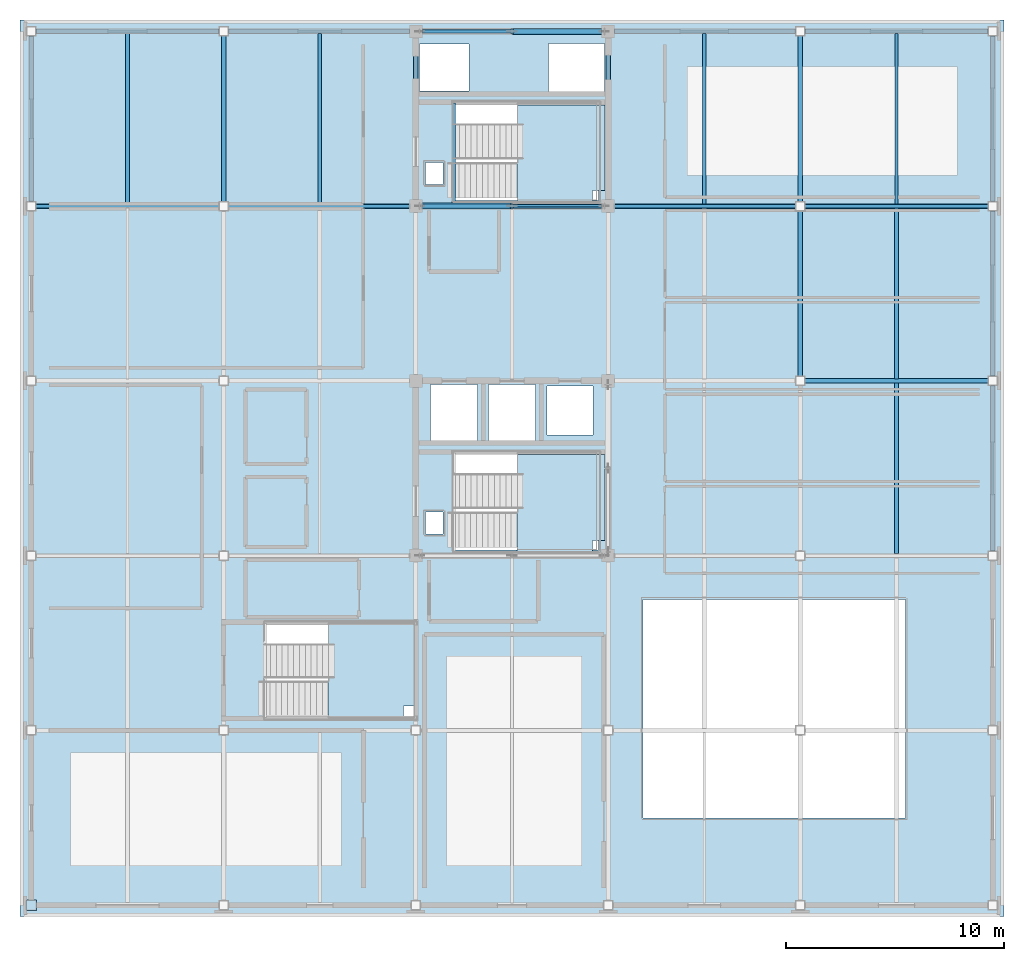
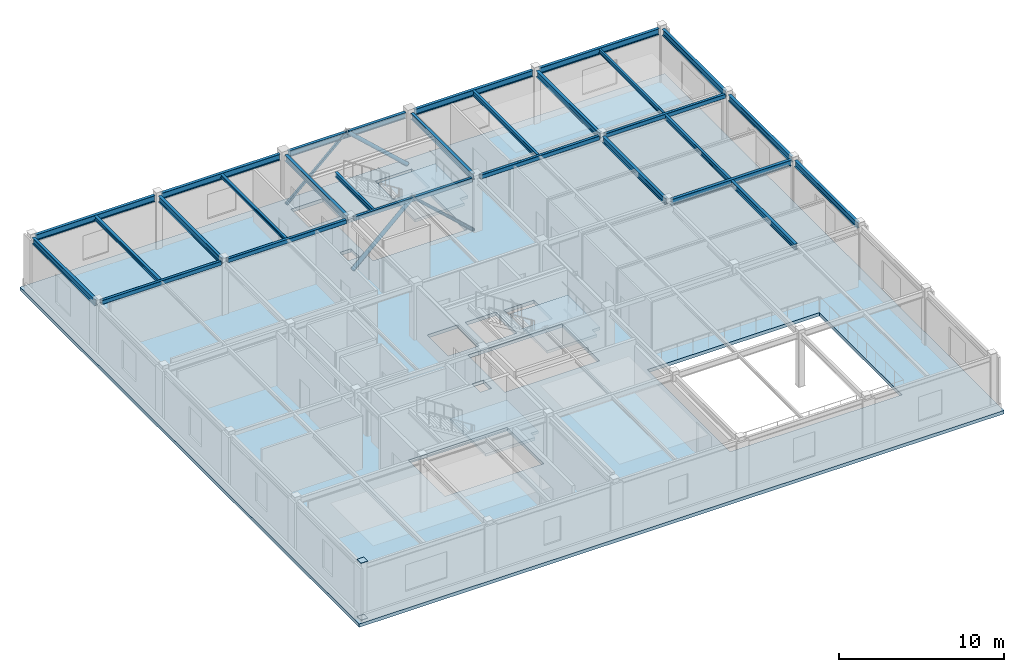
# One storey, part 2 of 18: 27 beams, 4 members, 4 slabs, 2 plates, 3 elements without a shape of their own.
"""IFC4 building model written with IfcOpenShell, lengths in metres."""

from ifc_helpers import new_model, si_unit, direction, frame, origin, origin_2d, place, context, subcontext, project, spatial, polyline, rectangle, hollow_rectangle, hollow_circle, i_section, outline, extrude, material, layer, layer_set, material_profile, profile_set, type_object, element, aggregate, save


model = new_model("IFC4")

# Units and contexts
model_context = context("Model", 3, precision=1e-05, world=origin(), true_north=direction((0.0, 1.0)))
body_context = subcontext(model_context, "Body", "Model", "MODEL_VIEW")
ifc_project = project(units=[si_unit("LENGTHUNIT", "METRE"), si_unit("AREAUNIT", "SQUARE_METRE"), si_unit("VOLUMEUNIT", "CUBIC_METRE"), si_unit("PLANEANGLEUNIT", "RADIAN"), si_unit("MASSUNIT", "GRAM", prefix="KILO")], contexts=[model_context])

# Site, building, storey
site_placement = place(None, origin())
site = spatial("IfcSite", under=ifc_project, at=site_placement, CompositionType="ELEMENT")
building_placement = place(site_placement, origin())
building = spatial("IfcBuilding", under=site, at=building_placement, Name="Zhaolan Boulevard Law Courts", CompositionType="ELEMENT")
storey_placement = place(building_placement, frame((0.0, 0.0, 33.0)))
storey = spatial("IfcBuildingStorey", under=building, at=storey_placement, Name="L07", CompositionType="ELEMENT", Elevation=33.0)

# Members
ifc_material_1 = material(Name="Structural steel Q355B", Category="steel")
ifc_material_profile_1 = material_profile(ifc_material_1, hollow_circle(Radius=0.109619140625, WallThickness=0.008056640625, at=origin_2d()), Name="CHS219x8")
ifc_profile_set_1 = profile_set([ifc_material_profile_1], Name="Structural steel Q355B")
member_type_1 = type_object("IfcMemberType", Name="BRACE CHS219", PredefinedType="BRACE", material=ifc_profile_set_1)
member_1_placement = place(storey_placement, frame((26.219970703125, 62.0, 0.030029296875), z_axis=(-0.735277847563, 0.0, 0.677765805336), x_axis=(0.0, -1.0, 0.0)))
element("IfcMember", 1, at=member_1_placement, inside=storey, type_object=member_type_1, Name="Core Brace BR-W2-L07-S2", PredefinedType="BRACE", context=body_context, shape_type="SweptSolid", body=[
    extrude(hollow_circle(Radius=0.109619140625, WallThickness=0.008056640625, at=origin_2d()), origin(), (0.0, 0.0, 1.0), 5.7392578125),
])
ifc_material_2 = material(Name="Structural steel Q355B", Category="steel")
ifc_material_profile_2 = material_profile(ifc_material_2, hollow_circle(Radius=0.136474609375, WallThickness=0.010009765625, at=origin_2d()), Name="CHS273x10")
ifc_profile_set_2 = profile_set([ifc_material_profile_2], Name="Structural steel Q355B")
member_type_2 = type_object("IfcMemberType", Name="BRACE CHS273", PredefinedType="BRACE", material=ifc_profile_set_2)
for number, where, z_axis, x_axis, name in (
    (2, (26.219970703125, 70.0, 0.030029296875), (-0.735277847563, 0.0, 0.677765805336), (0.0, -1.0, 0.0), "Core Brace BR-W2-L07-N2"),
    (3, (17.780029296875, 62.0, 0.030029296875), (0.735277847563, 0.0, 0.677765805336), (0.0, 1.0, 0.0), "Core Brace BR-W2-L07-S1"),
):
    element("IfcMember", number, at=place(storey_placement, frame(where, z_axis=z_axis, x_axis=x_axis)), inside=storey, type_object=member_type_2, Name=name, PredefinedType="BRACE", context=body_context, shape_type="SweptSolid", body=[
        extrude(hollow_circle(Radius=0.136474609375, WallThickness=0.010009765625, at=origin_2d()), origin(), (0.0, 0.0, 1.0), 5.7392578125),
    ])
ifc_material_3 = material(Name="Structural steel Q355B", Category="steel")
ifc_material_profile_3 = material_profile(ifc_material_3, hollow_rectangle(XDim=0.159912109375, YDim=0.159912109375, WallThickness=0.008056640625, InnerFilletRadius=0.008056640625, OuterFilletRadius=0.01611328125, at=origin_2d()), Name="HSS160x160x8")
ifc_profile_set_3 = profile_set([ifc_material_profile_3], Name="Structural steel Q355B")
member_type_3 = type_object("IfcMemberType", Name="BRACE HSS160", PredefinedType="BRACE", material=ifc_profile_set_3)
member_2_placement = place(storey_placement, frame((17.780029296875, 70.0, 0.030029296875), z_axis=(0.735277847563, 0.0, 0.677765805336), x_axis=(0.0, 1.0, 0.0)))
element("IfcMember", 4, at=member_2_placement, inside=storey, type_object=member_type_3, Name="Core Brace BR-W2-L07-N1", PredefinedType="BRACE", context=body_context, shape_type="SweptSolid", body=[
    extrude(hollow_rectangle(XDim=0.159912109375, YDim=0.159912109375, WallThickness=0.008056640625, InnerFilletRadius=0.008056640625, OuterFilletRadius=0.01611328125, at=origin_2d()), origin(), (0.0, 0.0, 1.0), 5.7392578125),
])

# Beams
ifc_material_4 = material(Name="Structural steel Q355B", Category="steel")
ifc_material_profile_4 = material_profile(ifc_material_4, i_section(OverallWidth=0.199951171875, OverallDepth=0.449951171875, WebThickness=0.009033203125, FlangeThickness=0.013916015625, FilletRadius=0.01611328125, at=origin_2d()), Name="HN450x200")
ifc_profile_set_4 = profile_set([ifc_material_profile_4], Name="Structural steel Q355B")
beam_type_1 = type_object("IfcBeamType", Name="GIRDER HN450", PredefinedType="BEAM", material=ifc_profile_set_4)
for number, where, z_axis, x_axis, name in (
    (5, (35.4208984375, 54.0, 3.722900390625), (1.0, 0.0, 0.0), (0.0, 1.0, 0.0), "Beam BX-L08-5-6-H"),
    (6, (0.220947265625, 70.0, 3.722900390625), (1.0, 0.0, 0.0), (0.0, 1.0, 0.0), "Beam BX-L08-1-2-K"),
):
    element("IfcBeam", number, at=place(storey_placement, frame(where, z_axis=z_axis, x_axis=x_axis)), inside=storey, type_object=beam_type_1, Name=name, PredefinedType="BEAM", context=body_context, shape_type="SweptSolid", body=[
        extrude(i_section(OverallWidth=0.199951171875, OverallDepth=0.449951171875, WebThickness=0.009033203125, FlangeThickness=0.013916015625, FilletRadius=0.01611328125, at=origin_2d()), origin(), (0.0, 0.0, 1.0), 8.358154296875),
    ])
beam_1_placement = place(storey_placement, frame((9.02099609375, 70.0, 3.722900390625), z_axis=(1.0, 0.0, 0.0), x_axis=(0.0, 1.0, 0.0)))
element("IfcBeam", 7, at=beam_1_placement, inside=storey, type_object=beam_type_1, Name="Beam BX-L08-2-3-K", PredefinedType="BEAM", context=body_context, shape_type="SweptSolid", body=[
    extrude(i_section(OverallWidth=0.199951171875, OverallDepth=0.449951171875, WebThickness=0.009033203125, FlangeThickness=0.013916015625, FilletRadius=0.01611328125, at=origin_2d()), origin(), (0.0, 0.0, 1.0), 8.282958984375),
])
beam_2_placement = place(storey_placement, frame((17.89599609375, 70.0, 3.722900390625), z_axis=(1.0, 0.0, 0.0), x_axis=(0.0, 1.0, 0.0)))
element("IfcBeam", 8, at=beam_2_placement, inside=storey, type_object=beam_type_1, Name="Beam BX-L08-3-4-K", PredefinedType="BEAM", context=body_context, shape_type="SweptSolid", body=[
    extrude(i_section(OverallWidth=0.199951171875, OverallDepth=0.449951171875, WebThickness=0.009033203125, FlangeThickness=0.013916015625, FilletRadius=0.01611328125, at=origin_2d()), origin(), (0.0, 0.0, 1.0), 8.2080078125),
])
beam_3_placement = place(storey_placement, frame((26.696044921875, 70.0, 3.722900390625), z_axis=(1.0, 0.0, 0.0), x_axis=(0.0, 1.0, 0.0)))
element("IfcBeam", 9, at=beam_3_placement, inside=storey, type_object=beam_type_1, Name="Beam BX-L08-4-5-K", PredefinedType="BEAM", context=body_context, shape_type="SweptSolid", body=[
    extrude(i_section(OverallWidth=0.199951171875, OverallDepth=0.449951171875, WebThickness=0.009033203125, FlangeThickness=0.013916015625, FilletRadius=0.01611328125, at=origin_2d()), origin(), (0.0, 0.0, 1.0), 8.282958984375),
])
beam_4_placement = place(storey_placement, frame((35.4208984375, 70.0, 3.722900390625), z_axis=(1.0, 0.0, 0.0), x_axis=(0.0, 1.0, 0.0)))
element("IfcBeam", 10, at=beam_4_placement, inside=storey, type_object=beam_type_1, Name="Beam BX-L08-5-6-K", PredefinedType="BEAM", context=body_context, shape_type="SweptSolid", body=[
    extrude(i_section(OverallWidth=0.199951171875, OverallDepth=0.449951171875, WebThickness=0.009033203125, FlangeThickness=0.013916015625, FilletRadius=0.01611328125, at=origin_2d()), origin(), (0.0, 0.0, 1.0), 8.358154296875),
])
for number, where, z_axis, x_axis, name in (
    (11, (0.0, 62.220947265625, 3.722900390625), (0.0, 1.0, 0.0), (-1.0, 0.0, 0.0), "Beam BY-L08-1-J-K"),
    (12, (8.800048828125, 62.220947265625, 3.722900390625), (0.0, 1.0, 0.0), (-1.0, 0.0, 0.0), "Beam BY-L08-2-J-K"),
):
    element("IfcBeam", number, at=place(storey_placement, frame(where, z_axis=z_axis, x_axis=x_axis)), inside=storey, type_object=beam_type_1, Name=name, PredefinedType="BEAM", context=body_context, shape_type="SweptSolid", body=[
        extrude(i_section(OverallWidth=0.199951171875, OverallDepth=0.449951171875, WebThickness=0.009033203125, FlangeThickness=0.013916015625, FilletRadius=0.01611328125, at=origin_2d()), origin(), (0.0, 0.0, 1.0), 7.55810546875),
    ])
for number, where, z_axis, x_axis, name in (
    (13, (17.60009765625, 62.2958984375, 3.722900390625), (0.0, 1.0, 0.0), (-1.0, 0.0, 0.0), "Beam BY-L08-3-J-K"),
    (14, (26.39990234375, 62.2958984375, 3.722900390625), (0.0, 1.0, 0.0), (-1.0, 0.0, 0.0), "Beam BY-L08-4-J-K"),
):
    element("IfcBeam", number, at=place(storey_placement, frame(where, z_axis=z_axis, x_axis=x_axis)), inside=storey, type_object=beam_type_1, Name=name, PredefinedType="BEAM", context=body_context, shape_type="SweptSolid", body=[
        extrude(i_section(OverallWidth=0.199951171875, OverallDepth=0.449951171875, WebThickness=0.009033203125, FlangeThickness=0.013916015625, FilletRadius=0.01611328125, at=origin_2d()), origin(), (0.0, 0.0, 1.0), 7.408203125),
    ])
for number, where, z_axis, x_axis, name in (
    (15, (35.199951171875, 54.220947265625, 3.722900390625), (0.0, 1.0, 0.0), (-1.0, 0.0, 0.0), "Beam BY-L08-5-H-J"),
    (16, (35.199951171875, 62.220947265625, 3.722900390625), (0.0, 1.0, 0.0), (-1.0, 0.0, 0.0), "Beam BY-L08-5-J-K"),
    (17, (44.0, 46.220947265625, 3.722900390625), (0.0, 1.0, 0.0), (-1.0, 0.0, 0.0), "Beam BY-L08-6-G-H"),
    (18, (44.0, 54.220947265625, 3.722900390625), (0.0, 1.0, 0.0), (-1.0, 0.0, 0.0), "Beam BY-L08-6-H-J"),
    (19, (44.0, 62.220947265625, 3.722900390625), (0.0, 1.0, 0.0), (-1.0, 0.0, 0.0), "Beam BY-L08-6-J-K"),
):
    element("IfcBeam", number, at=place(storey_placement, frame(where, z_axis=z_axis, x_axis=x_axis)), inside=storey, type_object=beam_type_1, Name=name, PredefinedType="BEAM", context=body_context, shape_type="SweptSolid", body=[
        extrude(i_section(OverallWidth=0.199951171875, OverallDepth=0.449951171875, WebThickness=0.009033203125, FlangeThickness=0.013916015625, FilletRadius=0.01611328125, at=origin_2d()), origin(), (0.0, 0.0, 1.0), 7.55810546875),
    ])
ifc_material_5 = material(Name="Structural steel Q355B", Category="steel")
ifc_material_profile_5 = material_profile(ifc_material_5, i_section(OverallWidth=0.175048828125, OverallDepth=0.243896484375, WebThickness=0.007080078125, FlangeThickness=0.010986328125, FilletRadius=0.012939453125, at=origin_2d()), Name="HM244x175")
ifc_profile_set_5 = profile_set([ifc_material_profile_5], Name="Structural steel Q355B")
beam_type_2 = type_object("IfcBeamType", Name="JOIST HM244", PredefinedType="JOIST", material=ifc_profile_set_5)
beam_5_placement = place(storey_placement, frame((13.199951171875, 62.095947265625, 3.825927734375), z_axis=(0.0, 1.0, 0.0), x_axis=(-1.0, 0.0, 0.0)))
element("IfcBeam", 20, at=beam_5_placement, inside=storey, type_object=beam_type_2, Name="Composite Joist J-L08-2J", PredefinedType="JOIST", context=body_context, shape_type="SweptSolid", body=[
    extrude(i_section(OverallWidth=0.175048828125, OverallDepth=0.243896484375, WebThickness=0.007080078125, FlangeThickness=0.010986328125, FilletRadius=0.012939453125, at=origin_2d()), origin(), (0.0, 0.0, 1.0), 7.80810546875),
])
ifc_material_6 = material(Name="Structural steel Q355B", Category="steel")
ifc_material_profile_6 = material_profile(ifc_material_6, i_section(OverallWidth=0.199951171875, OverallDepth=0.2939453125, WebThickness=0.008056640625, FlangeThickness=0.011962890625, FilletRadius=0.01611328125, at=origin_2d()), Name="HM294x200")
ifc_profile_set_6 = profile_set([ifc_material_profile_6], Name="Structural steel Q355B")
beam_type_3 = type_object("IfcBeamType", Name="JOIST HM294", PredefinedType="JOIST", material=ifc_profile_set_6)
beam_6_placement = place(storey_placement, frame((4.39990234375, 62.095947265625, 3.801025390625), z_axis=(0.0, 1.0, 0.0), x_axis=(-1.0, 0.0, 0.0)))
element("IfcBeam", 21, at=beam_6_placement, inside=storey, type_object=beam_type_3, Name="Composite Joist J-L08-1J", PredefinedType="JOIST", context=body_context, shape_type="SweptSolid", body=[
    extrude(i_section(OverallWidth=0.199951171875, OverallDepth=0.2939453125, WebThickness=0.008056640625, FlangeThickness=0.011962890625, FilletRadius=0.01611328125, at=origin_2d()), origin(), (0.0, 0.0, 1.0), 7.80810546875),
])
ifc_material_7 = material(Name="Structural steel Q355B", Category="steel")
ifc_material_profile_7 = material_profile(ifc_material_7, i_section(OverallWidth=0.14990234375, OverallDepth=0.300048828125, WebThickness=0.006591796875, FlangeThickness=0.009033203125, FilletRadius=0.010986328125, at=origin_2d()), Name="HN300x150")
ifc_profile_set_7 = profile_set([ifc_material_profile_7], Name="Structural steel Q355B")
beam_type_4 = type_object("IfcBeamType", Name="JOIST HN300", PredefinedType="JOIST", material=ifc_profile_set_7)
beam_7_placement = place(storey_placement, frame((39.60009765625, 62.095947265625, 3.798095703125), z_axis=(0.0, 1.0, 0.0), x_axis=(-1.0, 0.0, 0.0)))
element("IfcBeam", 22, at=beam_7_placement, inside=storey, type_object=beam_type_4, Name="Composite Joist J-L08-5J", PredefinedType="JOIST", context=body_context, shape_type="SweptSolid", body=[
    extrude(i_section(OverallWidth=0.14990234375, OverallDepth=0.300048828125, WebThickness=0.006591796875, FlangeThickness=0.009033203125, FilletRadius=0.010986328125, at=origin_2d()), origin(), (0.0, 0.0, 1.0), 7.80810546875),
])
ifc_material_8 = material(Name="Structural steel Q355B", Category="steel")
ifc_material_profile_8 = material_profile(ifc_material_8, i_section(OverallWidth=0.175048828125, OverallDepth=0.35009765625, WebThickness=0.007080078125, FlangeThickness=0.010986328125, FilletRadius=0.012939453125, at=origin_2d()), Name="HN350x175")
ifc_profile_set_8 = profile_set([ifc_material_profile_8], Name="Structural steel Q355B")
beam_type_5 = type_object("IfcBeamType", Name="JOIST HN350", PredefinedType="JOIST", material=ifc_profile_set_8)
for number, where, z_axis, x_axis, name in (
    (23, (30.800048828125, 62.095947265625, 3.77294921875), (0.0, 1.0, 0.0), (-1.0, 0.0, 0.0), "Composite Joist J-L08-4J"),
    (24, (39.60009765625, 54.095947265625, 3.77294921875), (0.0, 1.0, 0.0), (-1.0, 0.0, 0.0), "Composite Joist J-L08-5H"),
):
    element("IfcBeam", number, at=place(storey_placement, frame(where, z_axis=z_axis, x_axis=x_axis)), inside=storey, type_object=beam_type_5, Name=name, PredefinedType="JOIST", context=body_context, shape_type="SweptSolid", body=[
        extrude(i_section(OverallWidth=0.175048828125, OverallDepth=0.35009765625, WebThickness=0.007080078125, FlangeThickness=0.010986328125, FilletRadius=0.012939453125, at=origin_2d()), origin(), (0.0, 0.0, 1.0), 7.80810546875),
    ])
ifc_material_9 = material(Name="Structural steel Q355B", Category="steel")
ifc_material_profile_9 = material_profile(ifc_material_9, i_section(OverallWidth=0.199951171875, OverallDepth=0.39990234375, WebThickness=0.008056640625, FlangeThickness=0.012939453125, FilletRadius=0.013916015625, at=origin_2d()), Name="HN400x200")
ifc_profile_set_9 = profile_set([ifc_material_profile_9], Name="Structural steel Q355B")
beam_type_6 = type_object("IfcBeamType", Name="JOIST HN400", PredefinedType="JOIST", material=ifc_profile_set_9)
beam_8_placement = place(storey_placement, frame((39.60009765625, 46.095947265625, 3.748046875), z_axis=(0.0, 1.0, 0.0), x_axis=(-1.0, 0.0, 0.0)))
element("IfcBeam", 25, at=beam_8_placement, inside=storey, type_object=beam_type_6, Name="Composite Joist J-L08-5G", PredefinedType="JOIST", context=body_context, shape_type="SweptSolid", body=[
    extrude(i_section(OverallWidth=0.199951171875, OverallDepth=0.39990234375, WebThickness=0.008056640625, FlangeThickness=0.012939453125, FilletRadius=0.013916015625, at=origin_2d()), origin(), (0.0, 0.0, 1.0), 7.80810546875),
])
ifc_material_10 = material(Name="Structural steel Q355B", Category="steel")
ifc_material_profile_10 = material_profile(ifc_material_10, hollow_rectangle(XDim=0.199951171875, YDim=0.300048828125, WallThickness=0.011962890625, InnerFilletRadius=0.011962890625, OuterFilletRadius=0.02392578125, at=origin_2d()), Name="HSS300x200x12")
ifc_profile_set_10 = profile_set([ifc_material_profile_10], Name="Structural steel Q355B")
beam_type_7 = type_object("IfcBeamType", Name="SPANDREL HSS300", PredefinedType="SPANDREL", material=ifc_profile_set_10)
beam_9_placement = place(storey_placement, frame((0.220947265625, 62.0, 3.798095703125), z_axis=(1.0, 0.0, 0.0), x_axis=(0.0, 1.0, 0.0)))
element("IfcBeam", 26, at=beam_9_placement, inside=storey, type_object=beam_type_7, Name="Beam BX-L08-1-2-J", PredefinedType="SPANDREL", context=body_context, shape_type="SweptSolid", body=[
    extrude(hollow_rectangle(XDim=0.199951171875, YDim=0.300048828125, WallThickness=0.011962890625, InnerFilletRadius=0.011962890625, OuterFilletRadius=0.02392578125, at=origin_2d()), origin(), (0.0, 0.0, 1.0), 8.358154296875),
])
beam_10_placement = place(storey_placement, frame((9.02099609375, 62.0, 3.798095703125), z_axis=(1.0, 0.0, 0.0), x_axis=(0.0, 1.0, 0.0)))
element("IfcBeam", 27, at=beam_10_placement, inside=storey, type_object=beam_type_7, Name="Beam BX-L08-2-3-J", PredefinedType="SPANDREL", context=body_context, shape_type="SweptSolid", body=[
    extrude(hollow_rectangle(XDim=0.199951171875, YDim=0.300048828125, WallThickness=0.011962890625, InnerFilletRadius=0.011962890625, OuterFilletRadius=0.02392578125, at=origin_2d()), origin(), (0.0, 0.0, 1.0), 8.282958984375),
])
beam_11_placement = place(storey_placement, frame((17.89599609375, 62.0, 3.798095703125), z_axis=(1.0, 0.0, 0.0), x_axis=(0.0, 1.0, 0.0)))
element("IfcBeam", 28, at=beam_11_placement, inside=storey, type_object=beam_type_7, Name="Beam BX-L08-3-4-J", PredefinedType="SPANDREL", context=body_context, shape_type="SweptSolid", body=[
    extrude(hollow_rectangle(XDim=0.199951171875, YDim=0.300048828125, WallThickness=0.011962890625, InnerFilletRadius=0.011962890625, OuterFilletRadius=0.02392578125, at=origin_2d()), origin(), (0.0, 0.0, 1.0), 8.2080078125),
])
beam_12_placement = place(storey_placement, frame((26.696044921875, 62.0, 3.798095703125), z_axis=(1.0, 0.0, 0.0), x_axis=(0.0, 1.0, 0.0)))
element("IfcBeam", 29, at=beam_12_placement, inside=storey, type_object=beam_type_7, Name="Beam BX-L08-4-5-J", PredefinedType="SPANDREL", context=body_context, shape_type="SweptSolid", body=[
    extrude(hollow_rectangle(XDim=0.199951171875, YDim=0.300048828125, WallThickness=0.011962890625, InnerFilletRadius=0.011962890625, OuterFilletRadius=0.02392578125, at=origin_2d()), origin(), (0.0, 0.0, 1.0), 8.282958984375),
])
beam_13_placement = place(storey_placement, frame((35.4208984375, 62.0, 3.798095703125), z_axis=(1.0, 0.0, 0.0), x_axis=(0.0, 1.0, 0.0)))
element("IfcBeam", 30, at=beam_13_placement, inside=storey, type_object=beam_type_7, Name="Beam BX-L08-5-6-J", PredefinedType="SPANDREL", context=body_context, shape_type="SweptSolid", body=[
    extrude(hollow_rectangle(XDim=0.199951171875, YDim=0.300048828125, WallThickness=0.011962890625, InnerFilletRadius=0.011962890625, OuterFilletRadius=0.02392578125, at=origin_2d()), origin(), (0.0, 0.0, 1.0), 8.358154296875),
])
ifc_material_11 = material(Name="Structural steel Q355B", Category="steel")
ifc_material_profile_11 = material_profile(ifc_material_11, i_section(OverallWidth=0.175048828125, OverallDepth=0.35009765625, WebThickness=0.007080078125, FlangeThickness=0.010986328125, FilletRadius=0.012939453125, at=origin_2d()), Name="HN350x175")
ifc_profile_set_11 = profile_set([ifc_material_profile_11], Name="Structural steel Q355B")
beam_type_8 = type_object("IfcBeamType", Name="STAIR TRIMMER HN350", PredefinedType="BEAM", material=ifc_profile_set_11)
beam_14_placement = place(storey_placement, frame((19.3349609375, 62.139892578125, 3.735107421875), z_axis=(0.0, 1.0, 0.0), x_axis=(-1.0, 0.0, 0.0)))
element("IfcBeam", 31, at=beam_14_placement, inside=storey, type_object=beam_type_8, Name="Stair Landing Trimmer Beam STB-ST02-L08", PredefinedType="BEAM", context=body_context, shape_type="SweptSolid", body=[
    extrude(i_section(OverallWidth=0.175048828125, OverallDepth=0.35009765625, WebThickness=0.007080078125, FlangeThickness=0.010986328125, FilletRadius=0.012939453125, at=origin_2d()), origin(), (0.0, 0.0, 1.0), 4.570068359375),
])

# Plates
ifc_material_12 = material(Name="Structural steel Q355B", Category="steel")
ifc_layer_1 = layer(ifc_material_12, 0.02001953125)
ifc_layer_set_1 = layer_set([ifc_layer_1])
plate_type = type_object("IfcPlateType", Name="END CAP PLATE 20", PredefinedType="SHEET", material=ifc_layer_set_1)
for number, where, z_axis, x_axis, name in (
    (32, (0.0, 30.0, -0.01806640625), (0.0, 0.0, 1.0), (1.0, 0.0, 0.0), "Hollow Section End-Cap Plate ECP-0017"),
    (33, (0.0, 30.0, 4.197998046875), (0.0, 0.0, 1.0), (1.0, 0.0, 0.0), "Hollow Section End-Cap Plate ECP-0018"),
):
    element("IfcPlate", number, at=place(storey_placement, frame(where, z_axis=z_axis, x_axis=x_axis)), inside=storey, type_object=plate_type, Name=name, PredefinedType="SHEET", context=body_context, shape_type="SweptSolid", body=[
        extrude(rectangle(XDim=0.47998046875, YDim=0.47998046875, at=origin_2d()), origin(), (0.0, 0.0, 1.0), 0.02001953125),
    ])

# Slab
ifc_material_13 = material(Name="Concrete C40", Category="concrete")
ifc_layer_2 = layer(ifc_material_13, 0.25)
ifc_layer_set_2 = layer_set([ifc_layer_2])
slab_type_1 = type_object("IfcSlabType", Name="FLOOR SLAB 250", PredefinedType="FLOOR", material=ifc_layer_set_2)
slab_1_placement = place(storey_placement, frame((0.0, 0.0, -0.25)))
element("IfcSlab", 34, at=slab_1_placement, inside=storey, type_object=slab_type_1, Name="Slab SLB-L07-V5", PredefinedType="FLOOR", context=body_context, shape_type="SweptSolid", body=[
    extrude(outline(polyline([(-0.52001953125, 29.47998046875), (44.52001953125, 29.47998046875), (44.52001953125, 70.52001953125), (-0.52001953125, 70.52001953125), (-0.52001953125, 29.47998046875)]), holes=[polyline([(18.27490234375, 51.27490234375), (20.425048828125, 51.27490234375), (20.425048828125, 53.824951171875), (18.27490234375, 53.824951171875), (18.27490234375, 51.27490234375)]), polyline([(20.925048828125, 51.27490234375), (23.074951171875, 51.27490234375), (23.074951171875, 53.824951171875), (20.925048828125, 53.824951171875), (20.925048828125, 51.27490234375)]), polyline([(23.675048828125, 67.25), (26.22509765625, 67.25), (26.22509765625, 69.449951171875), (23.675048828125, 69.449951171875), (23.675048828125, 67.25)]), polyline([(23.60009765625, 51.52490234375), (25.699951171875, 51.52490234375), (25.699951171875, 53.77490234375), (23.60009765625, 53.77490234375), (23.60009765625, 51.52490234375)]), polyline([(17.77490234375, 67.27490234375), (20.02490234375, 67.27490234375), (20.02490234375, 69.425048828125), (17.77490234375, 69.425048828125), (17.77490234375, 67.27490234375)]), polyline([(19.35009765625, 46.25), (25.949951171875, 46.25), (25.949951171875, 50.75), (19.35009765625, 50.75), (19.35009765625, 46.25)]), polyline([(19.35009765625, 62.25), (25.949951171875, 62.25), (25.949951171875, 66.75), (19.35009765625, 66.75), (19.35009765625, 62.25)]), polyline([(10.699951171875, 38.550048828125), (17.60009765625, 38.550048828125), (17.60009765625, 42.949951171875), (10.699951171875, 42.949951171875), (10.699951171875, 38.550048828125)]), polyline([(18.050048828125, 47.0), (18.85009765625, 47.0), (18.85009765625, 48.0), (18.050048828125, 48.0), (18.050048828125, 47.0)]), polyline([(18.050048828125, 63.0), (18.85009765625, 63.0), (18.85009765625, 64.0), (18.050048828125, 64.0), (18.050048828125, 63.0)]), polyline([(28.0, 34.0), (40.0, 34.0), (40.0, 44.0), (28.0, 44.0), (28.0, 34.0)])]), origin(), (0.0, 0.0, 1.0), 0.25),
])

# Stair, slab
ifc_material_14 = material(Name="Concrete C40", Category="concrete")
stair_type_1 = type_object("IfcStairType", Name="HALF TURN STAIR 42 A", PredefinedType="HALF_TURN_STAIR", material=ifc_material_14)
stair_1_placement = place(storey_placement, origin())
stair_1 = element("IfcStair", 35, at=stair_1_placement, inside=storey, type_object=stair_type_1, Name="Stair ST01-L07", PredefinedType="HALF_TURN_STAIR")
ifc_material_15 = material(Name="Concrete C40", Category="concrete")
ifc_layer_3 = layer(ifc_material_15, 0.199951171875)
ifc_layer_set_3 = layer_set([ifc_layer_3])
slab_type_2 = type_object("IfcSlabType", Name="STAIR LANDING 200", PredefinedType="LANDING", material=ifc_layer_set_3)
slab_2_placement = place(storey_placement, frame((0.0, 0.0, 1.89990234375)))
slab_2 = element("IfcSlab", 36, at=slab_2_placement, type_object=slab_type_2, Name="Stair Landing ST01-L07-L1", PredefinedType="LANDING", context=body_context, shape_type="SweptSolid", body=[
    extrude(outline(polyline([(22.22998046875, 46.14501953125), (25.695068359375, 46.14501953125), (25.695068359375, 46.705078125), (26.2548828125, 46.705078125), (26.2548828125, 50.639892578125), (22.22998046875, 50.639892578125), (22.22998046875, 46.14501953125)])), origin(), (0.0, 0.0, 1.0), 0.2001953125),
])
aggregate(stair_1, [slab_2])

stair_2_placement = place(storey_placement, origin())
stair_2 = element("IfcStair", 37, at=stair_2_placement, inside=storey, type_object=stair_type_1, Name="Stair ST02-L07", PredefinedType="HALF_TURN_STAIR")
slab_3_placement = place(storey_placement, frame((0.0, 0.0, 1.89990234375)))
slab_3 = element("IfcSlab", 38, at=slab_3_placement, type_object=slab_type_2, Name="Stair Landing ST02-L07-L1", PredefinedType="LANDING", context=body_context, shape_type="SweptSolid", body=[
    extrude(outline(polyline([(22.22998046875, 62.14501953125), (25.695068359375, 62.14501953125), (25.695068359375, 62.705078125), (26.2548828125, 62.705078125), (26.2548828125, 66.639892578125), (22.22998046875, 66.639892578125), (22.22998046875, 62.14501953125)])), origin(), (0.0, 0.0, 1.0), 0.2001953125),
])
aggregate(stair_2, [slab_3])

ifc_material_16 = material(Name="Concrete C40", Category="concrete")
stair_type_2 = type_object("IfcStairType", Name="HALF TURN STAIR 42 B", PredefinedType="HALF_TURN_STAIR", material=ifc_material_16)
stair_3_placement = place(storey_placement, origin())
stair_3 = element("IfcStair", 39, at=stair_3_placement, inside=storey, type_object=stair_type_2, Name="Stair ST03-L07", PredefinedType="HALF_TURN_STAIR")
slab_4_placement = place(storey_placement, frame((0.0, 0.0, 1.89990234375)))
slab_4 = element("IfcSlab", 40, at=slab_4_placement, type_object=slab_type_2, Name="Stair Landing ST03-L07-L1", PredefinedType="LANDING", context=body_context, shape_type="SweptSolid", body=[
    extrude(outline(polyline([(13.580078125, 38.60009765625), (17.0400390625, 38.60009765625), (17.0400390625, 39.110107421875), (17.550048828125, 39.110107421875), (17.550048828125, 42.89990234375), (13.580078125, 42.89990234375), (13.580078125, 38.60009765625)])), origin(), (0.0, 0.0, 1.0), 0.2001953125),
])
aggregate(stair_3, [slab_4])

save(model, "model.ifc")
